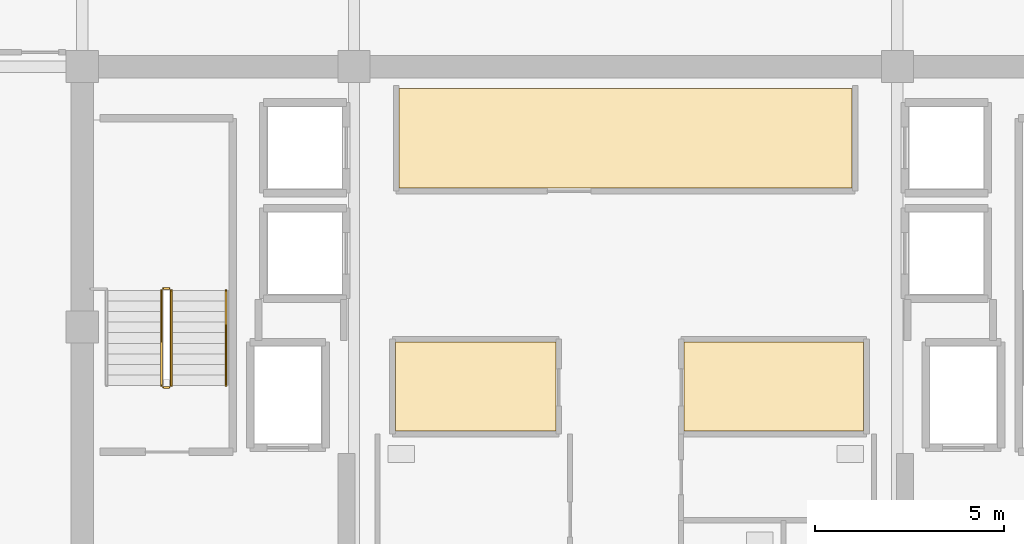
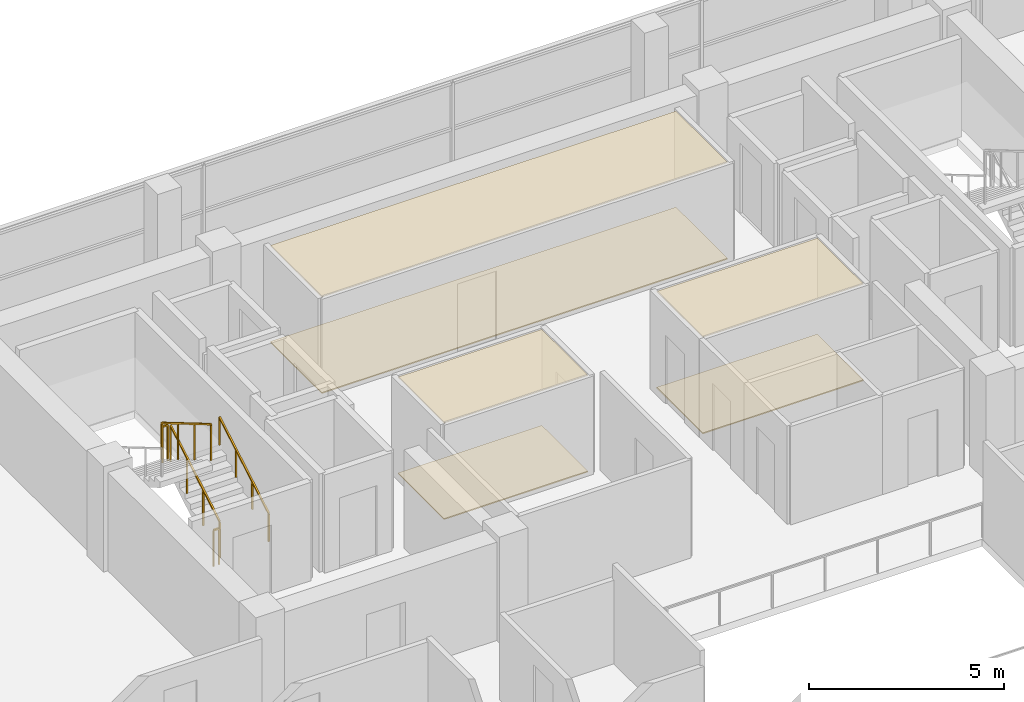
# One storey, part 20 of 22: 6 coverings, 5 railings.
"""IFC4 building model written with IfcOpenShell, lengths in metres."""

from ifc_helpers import new_model, si_unit, direction, frame, origin, origin_2d, place, context, subcontext, project, spatial, polyline, rectangle, outline, extrude, material, layer, layer_set, type_object, element, save


model = new_model("IFC4")

# Units and contexts
model_context = context("Model", 3, precision=1e-05, world=origin(), true_north=direction((0.0, 1.0)))
body_context = subcontext(model_context, "Body", "Model", "MODEL_VIEW")
ifc_project = project(units=[si_unit("LENGTHUNIT", "METRE"), si_unit("AREAUNIT", "SQUARE_METRE"), si_unit("VOLUMEUNIT", "CUBIC_METRE"), si_unit("PLANEANGLEUNIT", "RADIAN"), si_unit("MASSUNIT", "GRAM", prefix="KILO")], contexts=[model_context])

# Site, building, storey
site_placement = place(None, origin())
site = spatial("IfcSite", under=ifc_project, at=site_placement, CompositionType="ELEMENT")
building_placement = place(site_placement, origin())
building = spatial("IfcBuilding", under=site, at=building_placement, Name="Zarnakvel Exchange Tower", CompositionType="ELEMENT")
storey_placement = place(building_placement, frame((0.0, 0.0, 215.5)))
storey = spatial("IfcBuildingStorey", under=building, at=storey_placement, Name="L60", CompositionType="ELEMENT", Elevation=215.5)

# Coverings
ifc_material_1 = material(Name="Perforated Bronze Acoustic Metal Ceiling", Category="aluminium")
ifc_layer_1 = layer(ifc_material_1, 0.02001953125)
ifc_layer_set_1 = layer_set([ifc_layer_1], Name="Perforated Bronze Acoustic Metal Ceiling")
covering_type_1 = type_object("IfcCoveringType", Name="CLG-01", PredefinedType="CEILING", material=ifc_layer_set_1)
covering_1_placement = place(storey_placement, frame((0.0, 0.0, 3.014892578125)))
element("IfcCovering", 1, at=covering_1_placement, inside=storey, type_object=covering_type_1, Name="L60 Suspended Acoustic Ceiling (Market Data Archive Suite)", PredefinedType="CEILING", context=body_context, shape_type="SweptSolid", body=[
    extrude(outline(polyline([(-6.0, 12.919921875), (6.0, 12.919921875), (6.0, 10.280029296875), (-6.0, 10.280029296875), (-6.0, 12.919921875)])), origin(), (0.0, 0.0, 1.0), 0.02001953125),
])
covering_2_placement = place(storey_placement, frame((0.0, 0.0, 3.014892578125)))
element("IfcCovering", 2, at=covering_2_placement, inside=storey, type_object=covering_type_1, Name="L60 Suspended Acoustic Ceiling (Sovereign Compliance Office)", PredefinedType="CEILING", context=body_context, shape_type="SweptSolid", body=[
    extrude(outline(polyline([(-6.10009765625, 6.199951171875), (-1.85009765625, 6.199951171875), (-1.85009765625, 3.840087890625), (-6.10009765625, 3.840087890625), (-6.10009765625, 6.199951171875)])), origin(), (0.0, 0.0, 1.0), 0.02001953125),
])
covering_3_placement = place(storey_placement, frame((0.0, 0.0, 3.014892578125)))
element("IfcCovering", 3, at=covering_3_placement, inside=storey, type_object=covering_type_1, Name="L60 Suspended Acoustic Ceiling (Depository Legal Office)", PredefinedType="CEILING", context=body_context, shape_type="SweptSolid", body=[
    extrude(outline(polyline([(1.550048828125, 6.199951171875), (6.300048828125, 6.199951171875), (6.300048828125, 3.840087890625), (1.550048828125, 3.840087890625), (1.550048828125, 6.199951171875)])), origin(), (0.0, 0.0, 1.0), 0.02001953125),
])
ifc_material_2 = material(Name="Heavy-Duty Raised Access Floor Panel", Category="steel")
ifc_layer_2 = layer(ifc_material_2, 0.034912109375)
ifc_layer_set_2 = layer_set([ifc_layer_2], Name="Heavy-Duty Raised Access Floor Panel")
covering_type_2 = type_object("IfcCoveringType", Name="FLR-02", PredefinedType="FLOORING", material=ifc_layer_set_2)
covering_4_placement = place(storey_placement, origin())
element("IfcCovering", 4, at=covering_4_placement, inside=storey, type_object=covering_type_2, Name="L60 Floor Finish (Market Data Archive Suite)", PredefinedType="FLOORING", context=body_context, shape_type="SweptSolid", body=[
    extrude(outline(polyline([(-6.0, 12.919921875), (6.0, 12.919921875), (6.0, 10.280029296875), (-6.0, 10.280029296875), (-6.0, 12.919921875)])), origin(), (0.0, 0.0, 1.0), 0.034912109375),
])
covering_5_placement = place(storey_placement, origin())
element("IfcCovering", 5, at=covering_5_placement, inside=storey, type_object=covering_type_2, Name="L60 Floor Finish (Sovereign Compliance Office)", PredefinedType="FLOORING", context=body_context, shape_type="SweptSolid", body=[
    extrude(outline(polyline([(-6.10009765625, 6.199951171875), (-1.85009765625, 6.199951171875), (-1.85009765625, 3.840087890625), (-6.10009765625, 3.840087890625), (-6.10009765625, 6.199951171875)])), origin(), (0.0, 0.0, 1.0), 0.034912109375),
])
covering_6_placement = place(storey_placement, origin())
element("IfcCovering", 6, at=covering_6_placement, inside=storey, type_object=covering_type_2, Name="L60 Floor Finish (Depository Legal Office)", PredefinedType="FLOORING", context=body_context, shape_type="SweptSolid", body=[
    extrude(outline(polyline([(1.550048828125, 6.199951171875), (6.300048828125, 6.199951171875), (6.300048828125, 3.840087890625), (1.550048828125, 3.840087890625), (1.550048828125, 6.199951171875)])), origin(), (0.0, 0.0, 1.0), 0.034912109375),
])

# Railings
ifc_material_3 = material(Name="Brushed Stainless Steel", Category="steel")
railing_type_1 = type_object("IfcRailingType", Name="HR-01", PredefinedType="HANDRAIL", material=ifc_material_3)
railing_1_placement = place(storey_placement, frame((-10.590087890625, 5.050048828125, 0.1650390625)))
element("IfcRailing", 7, at=railing_1_placement, inside=storey, type_object=railing_type_1, Name="L60 ST-01 stair handrail 1", PredefinedType="HANDRAIL", context=body_context, shape_type="SweptSolid", body=[
    extrude(rectangle(XDim=0.048095703125, YDim=0.048095703125, at=origin_2d()), frame((0.0, 0.0, 0.8759765625), z_axis=(0.0, 0.861560626758, 0.507654692109), x_axis=(-1.0, 0.0, 0.0)), (0.0, 0.0, 1.0), 2.925048828125),
    extrude(rectangle(XDim=0.0419921875, YDim=0.0419921875, at=origin_2d()), origin(), (0.0, 0.0, 1.0), 0.851806640625),
    extrude(rectangle(XDim=0.0419921875, YDim=0.0419921875, at=origin_2d()), frame((0.0, 0.840087890625, 0.494873046875)), (0.0, 0.0, 1.0), 0.851806640625),
    extrude(rectangle(XDim=0.0419921875, YDim=0.0419921875, at=origin_2d()), frame((0.0, 1.679931640625, 0.989990234375)), (0.0, 0.0, 1.0), 0.851806640625),
    extrude(rectangle(XDim=0.0419921875, YDim=0.0419921875, at=origin_2d()), frame((0.0, 2.52001953125, 1.48486328125)), (0.0, 0.0, 1.0), 0.851806640625),
])
ifc_material_4 = material(Name="Architectural Bronze Anodised Aluminium", Category="aluminium")
railing_type_2 = type_object("IfcRailingType", Name="SG-01", PredefinedType="GUARDRAIL", material=ifc_material_4)
railing_2_placement = place(storey_placement, frame((-12.0400390625, 5.050048828125, 0.1650390625)))
element("IfcRailing", 8, at=railing_2_placement, inside=storey, type_object=railing_type_2, Name="L60 ST-01 stair guard 1", PredefinedType="GUARDRAIL", context=body_context, shape_type="SweptSolid", body=[
    extrude(rectangle(XDim=0.048095703125, YDim=0.048095703125, at=origin_2d()), frame((0.0, 0.0, 1.1259765625), z_axis=(0.0, 0.861560626758, 0.507654692109), x_axis=(-1.0, 0.0, 0.0)), (0.0, 0.0, 1.0), 2.925048828125),
    extrude(rectangle(XDim=0.0419921875, YDim=0.0419921875, at=origin_2d()), origin(), (0.0, 0.0, 1.0), 1.101806640625),
    extrude(rectangle(XDim=0.0419921875, YDim=0.0419921875, at=origin_2d()), frame((0.0, 0.840087890625, 0.494873046875)), (0.0, 0.0, 1.0), 1.101806640625),
    extrude(rectangle(XDim=0.0419921875, YDim=0.0419921875, at=origin_2d()), frame((0.0, 1.679931640625, 0.989990234375)), (0.0, 0.0, 1.0), 1.101806640625),
    extrude(rectangle(XDim=0.0419921875, YDim=0.0419921875, at=origin_2d()), frame((0.0, 2.52001953125, 1.48486328125)), (0.0, 0.0, 1.0), 1.101806640625),
])
railing_3_placement = place(storey_placement, frame((-12.090087890625, 7.6201171875, 1.64990234375)))
element("IfcRailing", 9, at=railing_3_placement, inside=storey, type_object=railing_type_2, Name="L60 ST-01 stair guard 2", PredefinedType="GUARDRAIL", context=body_context, shape_type="SweptSolid", body=[
    extrude(rectangle(XDim=0.048095703125, YDim=0.048095703125, at=origin_2d()), frame((0.0, 0.0, 1.1259765625), z_axis=(-1.0, 0.0, 0.0), x_axis=(0.0, -1.0, 0.0)), (0.0, 0.0, 1.0), 0.159912109375),
    extrude(rectangle(XDim=0.0419921875, YDim=0.0419921875, at=origin_2d()), origin(), (0.0, 0.0, 1.0), 1.101806640625),
    extrude(rectangle(XDim=0.0419921875, YDim=0.0419921875, at=origin_2d()), frame((-0.159912109375, 0.0, 0.0)), (0.0, 0.0, 1.0), 1.101806640625),
])
railing_4_placement = place(storey_placement, frame((-12.300048828125, 7.570068359375, 1.81494140625)))
element("IfcRailing", 10, at=railing_4_placement, inside=storey, type_object=railing_type_2, Name="L60 ST-01 stair guard 3", PredefinedType="GUARDRAIL", context=body_context, shape_type="SweptSolid", body=[
    extrude(rectangle(XDim=0.048095703125, YDim=0.048095703125, at=origin_2d()), frame((0.0, 0.0, 1.1259765625), z_axis=(0.0, -0.86152411907, 0.507716645641), x_axis=(1.0, 0.0, 0.0)), (0.0, 0.0, 1.0), 2.925048828125),
    extrude(rectangle(XDim=0.0419921875, YDim=0.0419921875, at=origin_2d()), origin(), (0.0, 0.0, 1.0), 1.101806640625),
    extrude(rectangle(XDim=0.0419921875, YDim=0.0419921875, at=origin_2d()), frame((0.0, -0.840087890625, 0.4951171875)), (0.0, 0.0, 1.0), 1.101806640625),
    extrude(rectangle(XDim=0.0419921875, YDim=0.0419921875, at=origin_2d()), frame((0.0, -1.679931640625, 0.989990234375)), (0.0, 0.0, 1.0), 1.101806640625),
    extrude(rectangle(XDim=0.0419921875, YDim=0.0419921875, at=origin_2d()), frame((0.0, -2.52001953125, 1.485107421875)), (0.0, 0.0, 1.0), 1.101806640625),
])
railing_5_placement = place(storey_placement, frame((-12.090087890625, 5.0, 0.0)))
element("IfcRailing", 11, at=railing_5_placement, inside=storey, type_object=railing_type_2, Name="L60 ST-01 stair guard 4", PredefinedType="GUARDRAIL", context=body_context, shape_type="SweptSolid", body=[
    extrude(rectangle(XDim=0.048095703125, YDim=0.048095703125, at=origin_2d()), frame((0.0, 0.0, 1.1259765625), z_axis=(-1.0, 0.0, 0.0), x_axis=(0.0, -1.0, 0.0)), (0.0, 0.0, 1.0), 0.159912109375),
    extrude(rectangle(XDim=0.0419921875, YDim=0.0419921875, at=origin_2d()), origin(), (0.0, 0.0, 1.0), 1.101806640625),
    extrude(rectangle(XDim=0.0419921875, YDim=0.0419921875, at=origin_2d()), frame((-0.159912109375, 0.0, 0.0)), (0.0, 0.0, 1.0), 1.101806640625),
])

save(model, "model.ifc")
